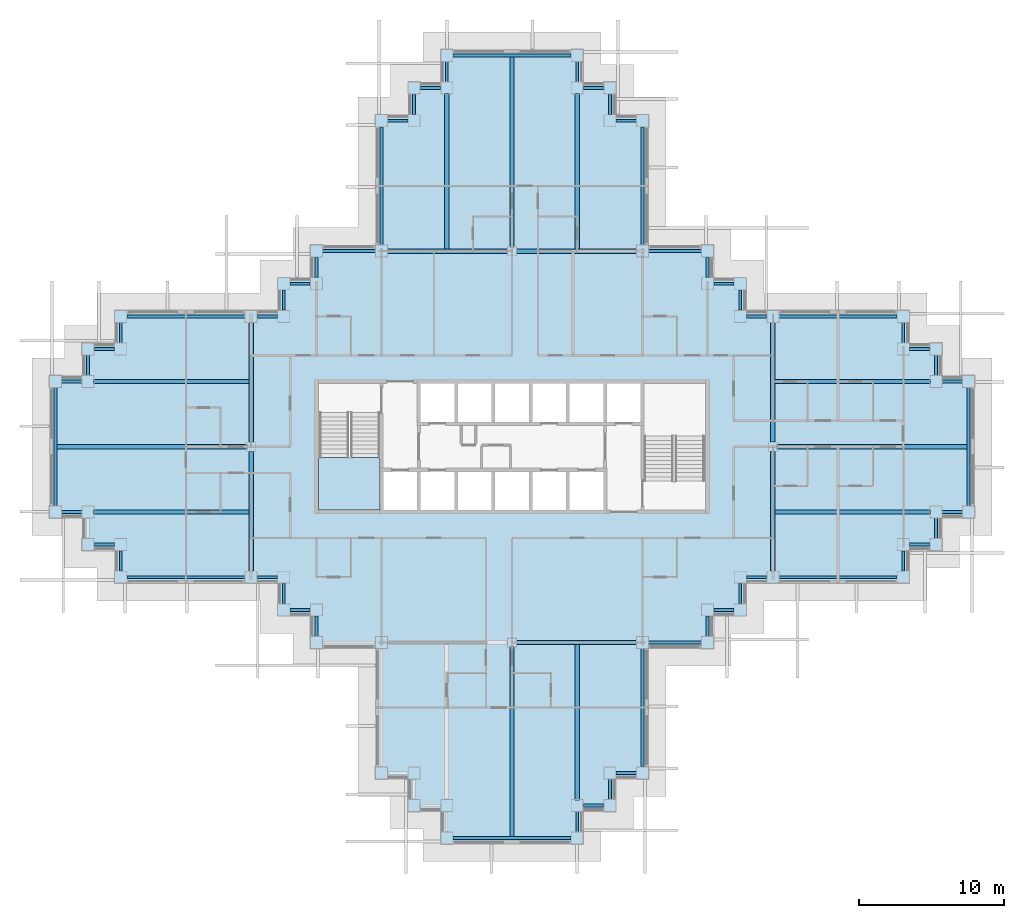
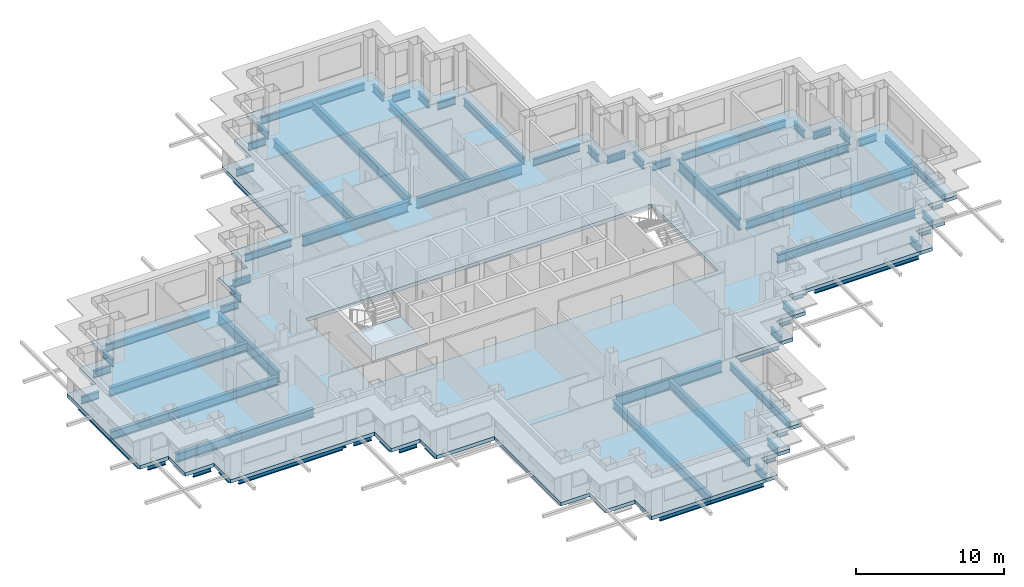
# One storey, part 3 of 17: 75 beams, 2 slabs, 1 element without a shape of its own.
"""IFC4 building model written with IfcOpenShell, lengths in metres."""

from ifc_helpers import new_model, si_unit, direction, frame, origin, origin_2d, place, context, subcontext, project, spatial, polyline, i_section, outline, extrude, material, layer, layer_set, material_profile, profile_set, type_object, element, aggregate, save


model = new_model("IFC4")

# Units and contexts
model_context = context("Model", 3, precision=1e-05, world=origin(), true_north=direction((0.0, 1.0)))
body_context = subcontext(model_context, "Body", "Model", "MODEL_VIEW")
ifc_project = project(units=[si_unit("LENGTHUNIT", "METRE"), si_unit("AREAUNIT", "SQUARE_METRE"), si_unit("VOLUMEUNIT", "CUBIC_METRE"), si_unit("PLANEANGLEUNIT", "RADIAN"), si_unit("MASSUNIT", "GRAM", prefix="KILO")], contexts=[model_context])

# Site, building, storey
site_placement = place(None, origin())
site = spatial("IfcSite", under=ifc_project, at=site_placement, CompositionType="ELEMENT")
building_placement = place(site_placement, origin())
building = spatial("IfcBuilding", under=site, at=building_placement, Name="Caravel Reach Hotel and Residences", CompositionType="ELEMENT")
storey_placement = place(building_placement, frame((0.0, 0.0, 126.0)))
storey = spatial("IfcBuildingStorey", under=building, at=storey_placement, Name="L31", CompositionType="ELEMENT", Elevation=126.0)

# Beams
ifc_material_1 = material(Name="Structural steel Q355B", Category="steel")
ifc_material_profile_1 = material_profile(ifc_material_1, i_section(OverallWidth=0.300048828125, OverallDepth=0.699951171875, WebThickness=0.012939453125, FlangeThickness=0.02392578125, FilletRadius=0.01806640625, at=origin_2d()), Name="HN 700x300x13x24")
ifc_profile_set_1 = profile_set([ifc_material_profile_1], Name="Structural steel Q355B")
beam_type_1 = type_object("IfcBeamType", Name="Beam HN 700x300x13x24", PredefinedType="BEAM", material=ifc_profile_set_1)
beam_1_placement = place(storey_placement, frame((27.0, 40.60009765625, -0.64990234375), z_axis=(0.0, 1.0, 0.0), x_axis=(-1.0, 0.0, 0.0)))
element("IfcBeam", 1, at=beam_1_placement, inside=storey, type_object=beam_type_1, Name="B2 HN 700x300x13x24", PredefinedType="BEAM", context=body_context, shape_type="SweptSolid", body=[
    extrude(i_section(OverallWidth=0.300048828125, OverallDepth=0.699951171875, WebThickness=0.012939453125, FlangeThickness=0.02392578125, FilletRadius=0.01806640625, at=origin_2d()), origin(), (0.0, 0.0, 1.0), 10.77490234375),
])
beam_2_placement = place(storey_placement, frame((31.5, 40.77490234375, -0.64990234375), z_axis=(0.0, 1.0, 0.0), x_axis=(-1.0, 0.0, 0.0)))
element("IfcBeam", 2, at=beam_2_placement, inside=storey, type_object=beam_type_1, Name="B2 HN 700x300x13x24", PredefinedType="BEAM", context=body_context, shape_type="SweptSolid", body=[
    extrude(i_section(OverallWidth=0.300048828125, OverallDepth=0.699951171875, WebThickness=0.012939453125, FlangeThickness=0.02392578125, FilletRadius=0.01806640625, at=origin_2d()), origin(), (0.0, 0.0, 1.0), 13.125),
])
beam_3_placement = place(storey_placement, frame((36.0, 40.60009765625, -0.64990234375), z_axis=(0.0, 1.0, 0.0), x_axis=(-1.0, 0.0, 0.0)))
element("IfcBeam", 3, at=beam_3_placement, inside=storey, type_object=beam_type_1, Name="B2 HN 700x300x13x24", PredefinedType="BEAM", context=body_context, shape_type="SweptSolid", body=[
    extrude(i_section(OverallWidth=0.300048828125, OverallDepth=0.699951171875, WebThickness=0.012939453125, FlangeThickness=0.02392578125, FilletRadius=0.01806640625, at=origin_2d()), origin(), (0.0, 0.0, 1.0), 10.77490234375),
])
beam_4_placement = place(storey_placement, frame((31.5, 13.22509765625, -0.64990234375), z_axis=(0.0, -1.0, 0.0), x_axis=(1.0, 0.0, 0.0)))
element("IfcBeam", 4, at=beam_4_placement, inside=storey, type_object=beam_type_1, Name="B2 HN 700x300x13x24", PredefinedType="BEAM", context=body_context, shape_type="SweptSolid", body=[
    extrude(i_section(OverallWidth=0.300048828125, OverallDepth=0.699951171875, WebThickness=0.012939453125, FlangeThickness=0.02392578125, FilletRadius=0.01806640625, at=origin_2d()), origin(), (0.0, 0.0, 1.0), 13.125),
])
for number, where, z_axis, x_axis, name in (
    (5, (36.0, 13.39990234375, -0.64990234375), (0.0, -1.0, 0.0), (1.0, 0.0, 0.0), "B2 HN 700x300x13x24"),
    (6, (49.60009765625, 22.5, -0.64990234375), (1.0, 0.0, 0.0), (0.0, 1.0, 0.0), "B2 HN 700x300x13x24"),
):
    element("IfcBeam", number, at=place(storey_placement, frame(where, z_axis=z_axis, x_axis=x_axis)), inside=storey, type_object=beam_type_1, Name=name, PredefinedType="BEAM", context=body_context, shape_type="SweptSolid", body=[
        extrude(i_section(OverallWidth=0.300048828125, OverallDepth=0.699951171875, WebThickness=0.012939453125, FlangeThickness=0.02392578125, FilletRadius=0.01806640625, at=origin_2d()), origin(), (0.0, 0.0, 1.0), 10.77490234375),
    ])
beam_5_placement = place(storey_placement, frame((49.77490234375, 27.0, -0.64990234375), z_axis=(1.0, 0.0, 0.0), x_axis=(0.0, 1.0, 0.0)))
element("IfcBeam", 7, at=beam_5_placement, inside=storey, type_object=beam_type_1, Name="B2 HN 700x300x13x24", PredefinedType="BEAM", context=body_context, shape_type="SweptSolid", body=[
    extrude(i_section(OverallWidth=0.300048828125, OverallDepth=0.699951171875, WebThickness=0.012939453125, FlangeThickness=0.02392578125, FilletRadius=0.01806640625, at=origin_2d()), origin(), (0.0, 0.0, 1.0), 13.125),
])
for number, where, z_axis, x_axis, name in (
    (8, (49.60009765625, 31.5, -0.64990234375), (1.0, 0.0, 0.0), (0.0, 1.0, 0.0), "B2 HN 700x300x13x24"),
    (9, (13.39990234375, 22.5, -0.64990234375), (-1.0, 0.0, 0.0), (0.0, -1.0, 0.0), "B2 HN 700x300x13x24"),
):
    element("IfcBeam", number, at=place(storey_placement, frame(where, z_axis=z_axis, x_axis=x_axis)), inside=storey, type_object=beam_type_1, Name=name, PredefinedType="BEAM", context=body_context, shape_type="SweptSolid", body=[
        extrude(i_section(OverallWidth=0.300048828125, OverallDepth=0.699951171875, WebThickness=0.012939453125, FlangeThickness=0.02392578125, FilletRadius=0.01806640625, at=origin_2d()), origin(), (0.0, 0.0, 1.0), 10.77490234375),
    ])
beam_6_placement = place(storey_placement, frame((13.22509765625, 27.0, -0.64990234375), z_axis=(-1.0, 0.0, 0.0), x_axis=(0.0, -1.0, 0.0)))
element("IfcBeam", 10, at=beam_6_placement, inside=storey, type_object=beam_type_1, Name="B2 HN 700x300x13x24", PredefinedType="BEAM", context=body_context, shape_type="SweptSolid", body=[
    extrude(i_section(OverallWidth=0.300048828125, OverallDepth=0.699951171875, WebThickness=0.012939453125, FlangeThickness=0.02392578125, FilletRadius=0.01806640625, at=origin_2d()), origin(), (0.0, 0.0, 1.0), 13.125),
])
beam_7_placement = place(storey_placement, frame((13.39990234375, 31.5, -0.64990234375), z_axis=(-1.0, 0.0, 0.0), x_axis=(0.0, -1.0, 0.0)))
element("IfcBeam", 11, at=beam_7_placement, inside=storey, type_object=beam_type_1, Name="B2 HN 700x300x13x24", PredefinedType="BEAM", context=body_context, shape_type="SweptSolid", body=[
    extrude(i_section(OverallWidth=0.300048828125, OverallDepth=0.699951171875, WebThickness=0.012939453125, FlangeThickness=0.02392578125, FilletRadius=0.01806640625, at=origin_2d()), origin(), (0.0, 0.0, 1.0), 10.77490234375),
])
ifc_material_2 = material(Name="Structural steel Q355B", Category="steel")
ifc_material_profile_2 = material_profile(ifc_material_2, i_section(OverallWidth=0.300048828125, OverallDepth=0.89990234375, WebThickness=0.01611328125, FlangeThickness=0.028076171875, FilletRadius=0.01806640625, at=origin_2d()), Name="HN 900x300x16x28")
ifc_profile_set_2 = profile_set([ifc_material_profile_2], Name="Structural steel Q355B")
beam_type_2 = type_object("IfcBeamType", Name="Beam HN 900x300x16x28", PredefinedType="BEAM", material=ifc_profile_set_2)
for number, where, z_axis, x_axis, name in (
    (12, (22.925048828125, 40.5, -0.75), (1.0, 0.0, 0.0), (0.0, 1.0, 0.0), "B3 HN 900x300x16x28"),
    (13, (31.824951171875, 40.5, -0.75), (1.0, 0.0, 0.0), (0.0, 1.0, 0.0), "B3 HN 900x300x16x28"),
    (14, (31.824951171875, 13.5, -0.75), (1.0, 0.0, 0.0), (0.0, 1.0, 0.0), "B3 HN 900x300x16x28"),
    (15, (13.5, 18.425048828125, -0.75), (0.0, 1.0, 0.0), (-1.0, 0.0, 0.0), "B3 HN 900x300x16x28"),
    (16, (13.5, 27.324951171875, -0.75), (0.0, 1.0, 0.0), (-1.0, 0.0, 0.0), "B3 HN 900x300x16x28"),
    (17, (49.5, 18.425048828125, -0.75), (0.0, 1.0, 0.0), (-1.0, 0.0, 0.0), "B3 HN 900x300x16x28"),
    (18, (49.5, 27.324951171875, -0.75), (0.0, 1.0, 0.0), (-1.0, 0.0, 0.0), "B3 HN 900x300x16x28"),
):
    element("IfcBeam", number, at=place(storey_placement, frame(where, z_axis=z_axis, x_axis=x_axis)), inside=storey, type_object=beam_type_2, Name=name, PredefinedType="BEAM", context=body_context, shape_type="SweptSolid", body=[
        extrude(i_section(OverallWidth=0.300048828125, OverallDepth=0.89990234375, WebThickness=0.01611328125, FlangeThickness=0.028076171875, FilletRadius=0.01806640625, at=origin_2d()), origin(), (0.0, 0.0, 1.0), 8.25),
    ])
ifc_material_3 = material(Name="Structural steel Q355B", Category="steel")
ifc_material_profile_3 = material_profile(ifc_material_3, i_section(OverallWidth=0.199951171875, OverallDepth=0.60009765625, WebThickness=0.010986328125, FlangeThickness=0.01708984375, FilletRadius=0.012939453125, at=origin_2d()), Name="HN 600x200x11x17")
ifc_profile_set_3 = profile_set([ifc_material_profile_3], Name="Structural steel Q355B")
beam_type_3 = type_object("IfcBeamType", Name="Spandrel beam HN 600x200x11x17", PredefinedType="SPANDREL", material=ifc_profile_set_3)
beam_8_placement = place(storey_placement, frame((27.425048828125, 0.0, -0.60009765625), z_axis=(1.0, 0.0, 0.0), x_axis=(0.0, 1.0, 0.0)))
element("IfcBeam", 19, at=beam_8_placement, inside=storey, type_object=beam_type_3, Name="SP1 HN 600x200x11x17", PredefinedType="SPANDREL", context=body_context, shape_type="SweptSolid", body=[
    extrude(i_section(OverallWidth=0.199951171875, OverallDepth=0.60009765625, WebThickness=0.010986328125, FlangeThickness=0.01708984375, FilletRadius=0.012939453125, at=origin_2d()), origin(), (0.0, 0.0, 1.0), 8.14990234375),
])
for number, where, z_axis, x_axis, name in (
    (20, (36.0, 0.425048828125, -0.60009765625), (0.0, 1.0, 0.0), (-1.0, 0.0, 0.0), "SP1 HN 600x200x11x17"),
    (21, (36.425048828125, 2.25, -0.60009765625), (1.0, 0.0, 0.0), (0.0, 1.0, 0.0), "SP1 HN 600x200x11x17"),
    (22, (38.25, 2.675048828125, -0.60009765625), (0.0, 1.0, 0.0), (-1.0, 0.0, 0.0), "SP1 HN 600x200x11x17"),
    (23, (38.675048828125, 4.5, -0.60009765625), (1.0, 0.0, 0.0), (0.0, 1.0, 0.0), "SP1 HN 600x200x11x17"),
):
    element("IfcBeam", number, at=place(storey_placement, frame(where, z_axis=z_axis, x_axis=x_axis)), inside=storey, type_object=beam_type_3, Name=name, PredefinedType="SPANDREL", context=body_context, shape_type="SweptSolid", body=[
        extrude(i_section(OverallWidth=0.199951171875, OverallDepth=0.60009765625, WebThickness=0.010986328125, FlangeThickness=0.01708984375, FilletRadius=0.012939453125, at=origin_2d()), origin(), (0.0, 0.0, 1.0), 1.39990234375),
    ])
beam_9_placement = place(storey_placement, frame((40.5, 4.925048828125, -0.60009765625), z_axis=(0.0, 1.0, 0.0), x_axis=(-1.0, 0.0, 0.0)))
element("IfcBeam", 24, at=beam_9_placement, inside=storey, type_object=beam_type_3, Name="SP1 HN 600x200x11x17", PredefinedType="SPANDREL", context=body_context, shape_type="SweptSolid", body=[
    extrude(i_section(OverallWidth=0.199951171875, OverallDepth=0.60009765625, WebThickness=0.010986328125, FlangeThickness=0.01708984375, FilletRadius=0.012939453125, at=origin_2d()), origin(), (0.0, 0.0, 1.0), 8.14990234375),
])
beam_10_placement = place(storey_placement, frame((40.925048828125, 13.5, -0.60009765625), z_axis=(1.0, 0.0, 0.0), x_axis=(0.0, 1.0, 0.0)))
element("IfcBeam", 25, at=beam_10_placement, inside=storey, type_object=beam_type_3, Name="SP1 HN 600x200x11x17", PredefinedType="SPANDREL", context=body_context, shape_type="SweptSolid", body=[
    extrude(i_section(OverallWidth=0.199951171875, OverallDepth=0.60009765625, WebThickness=0.010986328125, FlangeThickness=0.01708984375, FilletRadius=0.012939453125, at=origin_2d()), origin(), (0.0, 0.0, 1.0), 3.64990234375),
])
for number, where, z_axis, x_axis, name in (
    (26, (45.0, 13.925048828125, -0.60009765625), (0.0, 1.0, 0.0), (-1.0, 0.0, 0.0), "SP1 HN 600x200x11x17"),
    (27, (45.425048828125, 15.75, -0.60009765625), (1.0, 0.0, 0.0), (0.0, 1.0, 0.0), "SP1 HN 600x200x11x17"),
    (28, (47.25, 16.175048828125, -0.60009765625), (0.0, 1.0, 0.0), (-1.0, 0.0, 0.0), "SP1 HN 600x200x11x17"),
    (29, (47.675048828125, 18.0, -0.60009765625), (1.0, 0.0, 0.0), (0.0, 1.0, 0.0), "SP1 HN 600x200x11x17"),
):
    element("IfcBeam", number, at=place(storey_placement, frame(where, z_axis=z_axis, x_axis=x_axis)), inside=storey, type_object=beam_type_3, Name=name, PredefinedType="SPANDREL", context=body_context, shape_type="SweptSolid", body=[
        extrude(i_section(OverallWidth=0.199951171875, OverallDepth=0.60009765625, WebThickness=0.010986328125, FlangeThickness=0.01708984375, FilletRadius=0.012939453125, at=origin_2d()), origin(), (0.0, 0.0, 1.0), 1.39990234375),
    ])
beam_11_placement = place(storey_placement, frame((49.925048828125, 18.0, -0.60009765625), z_axis=(1.0, 0.0, 0.0), x_axis=(0.0, 1.0, 0.0)))
element("IfcBeam", 30, at=beam_11_placement, inside=storey, type_object=beam_type_3, Name="SP1 HN 600x200x11x17", PredefinedType="SPANDREL", context=body_context, shape_type="SweptSolid", body=[
    extrude(i_section(OverallWidth=0.199951171875, OverallDepth=0.60009765625, WebThickness=0.010986328125, FlangeThickness=0.01708984375, FilletRadius=0.012939453125, at=origin_2d()), origin(), (0.0, 0.0, 1.0), 8.14990234375),
])
for number, where, z_axis, x_axis, name in (
    (31, (58.5, 18.425048828125, -0.60009765625), (0.0, 1.0, 0.0), (-1.0, 0.0, 0.0), "SP1 HN 600x200x11x17"),
    (32, (58.925048828125, 20.25, -0.60009765625), (1.0, 0.0, 0.0), (0.0, 1.0, 0.0), "SP1 HN 600x200x11x17"),
    (33, (60.75, 20.675048828125, -0.60009765625), (0.0, 1.0, 0.0), (-1.0, 0.0, 0.0), "SP1 HN 600x200x11x17"),
    (34, (61.175048828125, 22.5, -0.60009765625), (1.0, 0.0, 0.0), (0.0, 1.0, 0.0), "SP1 HN 600x200x11x17"),
):
    element("IfcBeam", number, at=place(storey_placement, frame(where, z_axis=z_axis, x_axis=x_axis)), inside=storey, type_object=beam_type_3, Name=name, PredefinedType="SPANDREL", context=body_context, shape_type="SweptSolid", body=[
        extrude(i_section(OverallWidth=0.199951171875, OverallDepth=0.60009765625, WebThickness=0.010986328125, FlangeThickness=0.01708984375, FilletRadius=0.012939453125, at=origin_2d()), origin(), (0.0, 0.0, 1.0), 1.39990234375),
    ])
beam_12_placement = place(storey_placement, frame((63.0, 22.925048828125, -0.60009765625), z_axis=(0.0, 1.0, 0.0), x_axis=(-1.0, 0.0, 0.0)))
element("IfcBeam", 35, at=beam_12_placement, inside=storey, type_object=beam_type_3, Name="SP1 HN 600x200x11x17", PredefinedType="SPANDREL", context=body_context, shape_type="SweptSolid", body=[
    extrude(i_section(OverallWidth=0.199951171875, OverallDepth=0.60009765625, WebThickness=0.010986328125, FlangeThickness=0.01708984375, FilletRadius=0.012939453125, at=origin_2d()), origin(), (0.0, 0.0, 1.0), 8.14990234375),
])
for number, where, z_axis, x_axis, name in (
    (36, (62.574951171875, 31.5, -0.60009765625), (-1.0, 0.0, 0.0), (0.0, -1.0, 0.0), "SP1 HN 600x200x11x17"),
    (37, (60.75, 31.925048828125, -0.60009765625), (0.0, 1.0, 0.0), (-1.0, 0.0, 0.0), "SP1 HN 600x200x11x17"),
    (38, (60.324951171875, 33.75, -0.60009765625), (-1.0, 0.0, 0.0), (0.0, -1.0, 0.0), "SP1 HN 600x200x11x17"),
    (39, (58.5, 34.175048828125, -0.60009765625), (0.0, 1.0, 0.0), (-1.0, 0.0, 0.0), "SP1 HN 600x200x11x17"),
):
    element("IfcBeam", number, at=place(storey_placement, frame(where, z_axis=z_axis, x_axis=x_axis)), inside=storey, type_object=beam_type_3, Name=name, PredefinedType="SPANDREL", context=body_context, shape_type="SweptSolid", body=[
        extrude(i_section(OverallWidth=0.199951171875, OverallDepth=0.60009765625, WebThickness=0.010986328125, FlangeThickness=0.01708984375, FilletRadius=0.012939453125, at=origin_2d()), origin(), (0.0, 0.0, 1.0), 1.39990234375),
    ])
beam_13_placement = place(storey_placement, frame((58.074951171875, 36.0, -0.60009765625), z_axis=(-1.0, 0.0, 0.0), x_axis=(0.0, -1.0, 0.0)))
element("IfcBeam", 40, at=beam_13_placement, inside=storey, type_object=beam_type_3, Name="SP1 HN 600x200x11x17", PredefinedType="SPANDREL", context=body_context, shape_type="SweptSolid", body=[
    extrude(i_section(OverallWidth=0.199951171875, OverallDepth=0.60009765625, WebThickness=0.010986328125, FlangeThickness=0.01708984375, FilletRadius=0.012939453125, at=origin_2d()), origin(), (0.0, 0.0, 1.0), 8.14990234375),
])
for number, where, z_axis, x_axis, name in (
    (41, (49.074951171875, 36.0, -0.60009765625), (-1.0, 0.0, 0.0), (0.0, -1.0, 0.0), "SP1 HN 600x200x11x17"),
    (42, (47.25, 36.425048828125, -0.60009765625), (0.0, 1.0, 0.0), (-1.0, 0.0, 0.0), "SP1 HN 600x200x11x17"),
    (43, (46.824951171875, 38.25, -0.60009765625), (-1.0, 0.0, 0.0), (0.0, -1.0, 0.0), "SP1 HN 600x200x11x17"),
    (44, (45.0, 38.675048828125, -0.60009765625), (0.0, 1.0, 0.0), (-1.0, 0.0, 0.0), "SP1 HN 600x200x11x17"),
):
    element("IfcBeam", number, at=place(storey_placement, frame(where, z_axis=z_axis, x_axis=x_axis)), inside=storey, type_object=beam_type_3, Name=name, PredefinedType="SPANDREL", context=body_context, shape_type="SweptSolid", body=[
        extrude(i_section(OverallWidth=0.199951171875, OverallDepth=0.60009765625, WebThickness=0.010986328125, FlangeThickness=0.01708984375, FilletRadius=0.012939453125, at=origin_2d()), origin(), (0.0, 0.0, 1.0), 1.39990234375),
    ])
beam_14_placement = place(storey_placement, frame((44.574951171875, 40.5, -0.60009765625), z_axis=(-1.0, 0.0, 0.0), x_axis=(0.0, -1.0, 0.0)))
element("IfcBeam", 45, at=beam_14_placement, inside=storey, type_object=beam_type_3, Name="SP1 HN 600x200x11x17", PredefinedType="SPANDREL", context=body_context, shape_type="SweptSolid", body=[
    extrude(i_section(OverallWidth=0.199951171875, OverallDepth=0.60009765625, WebThickness=0.010986328125, FlangeThickness=0.01708984375, FilletRadius=0.012939453125, at=origin_2d()), origin(), (0.0, 0.0, 1.0), 3.64990234375),
])
beam_15_placement = place(storey_placement, frame((40.5, 40.925048828125, -0.60009765625), z_axis=(0.0, 1.0, 0.0), x_axis=(-1.0, 0.0, 0.0)))
element("IfcBeam", 46, at=beam_15_placement, inside=storey, type_object=beam_type_3, Name="SP1 HN 600x200x11x17", PredefinedType="SPANDREL", context=body_context, shape_type="SweptSolid", body=[
    extrude(i_section(OverallWidth=0.199951171875, OverallDepth=0.60009765625, WebThickness=0.010986328125, FlangeThickness=0.01708984375, FilletRadius=0.012939453125, at=origin_2d()), origin(), (0.0, 0.0, 1.0), 8.14990234375),
])
for number, where, z_axis, x_axis, name in (
    (47, (40.074951171875, 49.5, -0.60009765625), (-1.0, 0.0, 0.0), (0.0, -1.0, 0.0), "SP1 HN 600x200x11x17"),
    (48, (38.25, 49.925048828125, -0.60009765625), (0.0, 1.0, 0.0), (-1.0, 0.0, 0.0), "SP1 HN 600x200x11x17"),
    (49, (37.824951171875, 51.75, -0.60009765625), (-1.0, 0.0, 0.0), (0.0, -1.0, 0.0), "SP1 HN 600x200x11x17"),
    (50, (36.0, 52.175048828125, -0.60009765625), (0.0, 1.0, 0.0), (-1.0, 0.0, 0.0), "SP1 HN 600x200x11x17"),
):
    element("IfcBeam", number, at=place(storey_placement, frame(where, z_axis=z_axis, x_axis=x_axis)), inside=storey, type_object=beam_type_3, Name=name, PredefinedType="SPANDREL", context=body_context, shape_type="SweptSolid", body=[
        extrude(i_section(OverallWidth=0.199951171875, OverallDepth=0.60009765625, WebThickness=0.010986328125, FlangeThickness=0.01708984375, FilletRadius=0.012939453125, at=origin_2d()), origin(), (0.0, 0.0, 1.0), 1.39990234375),
    ])
beam_16_placement = place(storey_placement, frame((35.574951171875, 54.0, -0.60009765625), z_axis=(-1.0, 0.0, 0.0), x_axis=(0.0, -1.0, 0.0)))
element("IfcBeam", 51, at=beam_16_placement, inside=storey, type_object=beam_type_3, Name="SP1 HN 600x200x11x17", PredefinedType="SPANDREL", context=body_context, shape_type="SweptSolid", body=[
    extrude(i_section(OverallWidth=0.199951171875, OverallDepth=0.60009765625, WebThickness=0.010986328125, FlangeThickness=0.01708984375, FilletRadius=0.012939453125, at=origin_2d()), origin(), (0.0, 0.0, 1.0), 8.14990234375),
])
for number, where, z_axis, x_axis, name in (
    (52, (27.0, 53.574951171875, -0.60009765625), (0.0, -1.0, 0.0), (1.0, 0.0, 0.0), "SP1 HN 600x200x11x17"),
    (53, (26.574951171875, 51.75, -0.60009765625), (-1.0, 0.0, 0.0), (0.0, -1.0, 0.0), "SP1 HN 600x200x11x17"),
    (54, (24.75, 51.324951171875, -0.60009765625), (0.0, -1.0, 0.0), (1.0, 0.0, 0.0), "SP1 HN 600x200x11x17"),
    (55, (24.324951171875, 49.5, -0.60009765625), (-1.0, 0.0, 0.0), (0.0, -1.0, 0.0), "SP1 HN 600x200x11x17"),
):
    element("IfcBeam", number, at=place(storey_placement, frame(where, z_axis=z_axis, x_axis=x_axis)), inside=storey, type_object=beam_type_3, Name=name, PredefinedType="SPANDREL", context=body_context, shape_type="SweptSolid", body=[
        extrude(i_section(OverallWidth=0.199951171875, OverallDepth=0.60009765625, WebThickness=0.010986328125, FlangeThickness=0.01708984375, FilletRadius=0.012939453125, at=origin_2d()), origin(), (0.0, 0.0, 1.0), 1.39990234375),
    ])
beam_17_placement = place(storey_placement, frame((22.5, 49.074951171875, -0.60009765625), z_axis=(0.0, -1.0, 0.0), x_axis=(1.0, 0.0, 0.0)))
element("IfcBeam", 56, at=beam_17_placement, inside=storey, type_object=beam_type_3, Name="SP1 HN 600x200x11x17", PredefinedType="SPANDREL", context=body_context, shape_type="SweptSolid", body=[
    extrude(i_section(OverallWidth=0.199951171875, OverallDepth=0.60009765625, WebThickness=0.010986328125, FlangeThickness=0.01708984375, FilletRadius=0.012939453125, at=origin_2d()), origin(), (0.0, 0.0, 1.0), 8.14990234375),
])
beam_18_placement = place(storey_placement, frame((22.074951171875, 40.5, -0.60009765625), z_axis=(-1.0, 0.0, 0.0), x_axis=(0.0, -1.0, 0.0)))
element("IfcBeam", 57, at=beam_18_placement, inside=storey, type_object=beam_type_3, Name="SP1 HN 600x200x11x17", PredefinedType="SPANDREL", context=body_context, shape_type="SweptSolid", body=[
    extrude(i_section(OverallWidth=0.199951171875, OverallDepth=0.60009765625, WebThickness=0.010986328125, FlangeThickness=0.01708984375, FilletRadius=0.012939453125, at=origin_2d()), origin(), (0.0, 0.0, 1.0), 3.64990234375),
])
for number, where, z_axis, x_axis, name in (
    (58, (18.0, 40.074951171875, -0.60009765625), (0.0, -1.0, 0.0), (1.0, 0.0, 0.0), "SP1 HN 600x200x11x17"),
    (59, (17.574951171875, 38.25, -0.60009765625), (-1.0, 0.0, 0.0), (0.0, -1.0, 0.0), "SP1 HN 600x200x11x17"),
    (60, (15.75, 37.824951171875, -0.60009765625), (0.0, -1.0, 0.0), (1.0, 0.0, 0.0), "SP1 HN 600x200x11x17"),
    (61, (15.324951171875, 36.0, -0.60009765625), (-1.0, 0.0, 0.0), (0.0, -1.0, 0.0), "SP1 HN 600x200x11x17"),
):
    element("IfcBeam", number, at=place(storey_placement, frame(where, z_axis=z_axis, x_axis=x_axis)), inside=storey, type_object=beam_type_3, Name=name, PredefinedType="SPANDREL", context=body_context, shape_type="SweptSolid", body=[
        extrude(i_section(OverallWidth=0.199951171875, OverallDepth=0.60009765625, WebThickness=0.010986328125, FlangeThickness=0.01708984375, FilletRadius=0.012939453125, at=origin_2d()), origin(), (0.0, 0.0, 1.0), 1.39990234375),
    ])
beam_19_placement = place(storey_placement, frame((13.074951171875, 36.0, -0.60009765625), z_axis=(-1.0, 0.0, 0.0), x_axis=(0.0, -1.0, 0.0)))
element("IfcBeam", 62, at=beam_19_placement, inside=storey, type_object=beam_type_3, Name="SP1 HN 600x200x11x17", PredefinedType="SPANDREL", context=body_context, shape_type="SweptSolid", body=[
    extrude(i_section(OverallWidth=0.199951171875, OverallDepth=0.60009765625, WebThickness=0.010986328125, FlangeThickness=0.01708984375, FilletRadius=0.012939453125, at=origin_2d()), origin(), (0.0, 0.0, 1.0), 8.14990234375),
])
for number, where, z_axis, x_axis, name in (
    (63, (4.5, 35.574951171875, -0.60009765625), (0.0, -1.0, 0.0), (1.0, 0.0, 0.0), "SP1 HN 600x200x11x17"),
    (64, (4.074951171875, 33.75, -0.60009765625), (-1.0, 0.0, 0.0), (0.0, -1.0, 0.0), "SP1 HN 600x200x11x17"),
    (65, (2.25, 33.324951171875, -0.60009765625), (0.0, -1.0, 0.0), (1.0, 0.0, 0.0), "SP1 HN 600x200x11x17"),
    (66, (1.824951171875, 31.5, -0.60009765625), (-1.0, 0.0, 0.0), (0.0, -1.0, 0.0), "SP1 HN 600x200x11x17"),
):
    element("IfcBeam", number, at=place(storey_placement, frame(where, z_axis=z_axis, x_axis=x_axis)), inside=storey, type_object=beam_type_3, Name=name, PredefinedType="SPANDREL", context=body_context, shape_type="SweptSolid", body=[
        extrude(i_section(OverallWidth=0.199951171875, OverallDepth=0.60009765625, WebThickness=0.010986328125, FlangeThickness=0.01708984375, FilletRadius=0.012939453125, at=origin_2d()), origin(), (0.0, 0.0, 1.0), 1.39990234375),
    ])
beam_20_placement = place(storey_placement, frame((0.0, 31.074951171875, -0.60009765625), z_axis=(0.0, -1.0, 0.0), x_axis=(1.0, 0.0, 0.0)))
element("IfcBeam", 67, at=beam_20_placement, inside=storey, type_object=beam_type_3, Name="SP1 HN 600x200x11x17", PredefinedType="SPANDREL", context=body_context, shape_type="SweptSolid", body=[
    extrude(i_section(OverallWidth=0.199951171875, OverallDepth=0.60009765625, WebThickness=0.010986328125, FlangeThickness=0.01708984375, FilletRadius=0.012939453125, at=origin_2d()), origin(), (0.0, 0.0, 1.0), 8.14990234375),
])
for number, where, z_axis, x_axis, name in (
    (68, (0.425048828125, 22.5, -0.60009765625), (1.0, 0.0, 0.0), (0.0, 1.0, 0.0), "SP1 HN 600x200x11x17"),
    (69, (2.675048828125, 20.25, -0.60009765625), (1.0, 0.0, 0.0), (0.0, 1.0, 0.0), "SP1 HN 600x200x11x17"),
    (70, (4.5, 19.824951171875, -0.60009765625), (0.0, -1.0, 0.0), (1.0, 0.0, 0.0), "SP1 HN 600x200x11x17"),
):
    element("IfcBeam", number, at=place(storey_placement, frame(where, z_axis=z_axis, x_axis=x_axis)), inside=storey, type_object=beam_type_3, Name=name, PredefinedType="SPANDREL", context=body_context, shape_type="SweptSolid", body=[
        extrude(i_section(OverallWidth=0.199951171875, OverallDepth=0.60009765625, WebThickness=0.010986328125, FlangeThickness=0.01708984375, FilletRadius=0.012939453125, at=origin_2d()), origin(), (0.0, 0.0, 1.0), 1.39990234375),
    ])
beam_21_placement = place(storey_placement, frame((4.925048828125, 18.0, -0.60009765625), z_axis=(1.0, 0.0, 0.0), x_axis=(0.0, 1.0, 0.0)))
element("IfcBeam", 71, at=beam_21_placement, inside=storey, type_object=beam_type_3, Name="SP1 HN 600x200x11x17", PredefinedType="SPANDREL", context=body_context, shape_type="SweptSolid", body=[
    extrude(i_section(OverallWidth=0.199951171875, OverallDepth=0.60009765625, WebThickness=0.010986328125, FlangeThickness=0.01708984375, FilletRadius=0.012939453125, at=origin_2d()), origin(), (0.0, 0.0, 1.0), 8.14990234375),
])
for number, where, z_axis, x_axis, name in (
    (72, (13.925048828125, 18.0, -0.60009765625), (1.0, 0.0, 0.0), (0.0, 1.0, 0.0), "SP1 HN 600x200x11x17"),
    (73, (15.75, 17.574951171875, -0.60009765625), (0.0, -1.0, 0.0), (1.0, 0.0, 0.0), "SP1 HN 600x200x11x17"),
    (74, (16.175048828125, 15.75, -0.60009765625), (1.0, 0.0, 0.0), (0.0, 1.0, 0.0), "SP1 HN 600x200x11x17"),
    (75, (18.0, 15.324951171875, -0.60009765625), (0.0, -1.0, 0.0), (1.0, 0.0, 0.0), "SP1 HN 600x200x11x17"),
):
    element("IfcBeam", number, at=place(storey_placement, frame(where, z_axis=z_axis, x_axis=x_axis)), inside=storey, type_object=beam_type_3, Name=name, PredefinedType="SPANDREL", context=body_context, shape_type="SweptSolid", body=[
        extrude(i_section(OverallWidth=0.199951171875, OverallDepth=0.60009765625, WebThickness=0.010986328125, FlangeThickness=0.01708984375, FilletRadius=0.012939453125, at=origin_2d()), origin(), (0.0, 0.0, 1.0), 1.39990234375),
    ])

# Stair, slab
ifc_material_4 = material(Name="Concrete C40", Category="concrete")
stair_type = type_object("IfcStairType", Name="Core stair", PredefinedType="HALF_TURN_STAIR", material=ifc_material_4)
stair_placement = place(storey_placement, origin())
stair = element("IfcStair", 76, at=stair_placement, inside=storey, type_object=stair_type, Name="L31 Exit stair A", PredefinedType="HALF_TURN_STAIR")
ifc_material_5 = material(Name="Concrete C40", Category="concrete")
ifc_layer_1 = layer(ifc_material_5, 0.199951171875)
ifc_layer_set_1 = layer_set([ifc_layer_1], Name="Core stair landing")
slab_type_1 = type_object("IfcSlabType", Name="Core stair landing", PredefinedType="LANDING", material=ifc_layer_set_1)
slab_1_placement = place(storey_placement, frame((0.0, 0.0, 1.60009765625)))
slab_1 = element("IfcSlab", 77, at=slab_1_placement, type_object=slab_type_1, Name="ST-A landing 1", PredefinedType="LANDING", context=body_context, shape_type="SweptSolid", body=[
    extrude(outline(polyline([(18.14990234375, 26.27001953125), (18.14990234375, 22.64990234375), (22.375, 22.64990234375), (22.375, 26.27001953125), (18.14990234375, 26.27001953125)])), origin(), (0.0, 0.0, 1.0), 0.199951171875),
])
aggregate(stair, [slab_1])

# Slab
ifc_material_6 = material(Name="Concrete C40 post-tensioned", Category="concrete")
ifc_layer_2 = layer(ifc_material_6, 0.300048828125)
ifc_layer_set_2 = layer_set([ifc_layer_2], Name="Floor slab 300")
slab_type_2 = type_object("IfcSlabType", Name="Floor slab 300", PredefinedType="FLOOR", material=ifc_layer_set_2)
slab_2_placement = place(storey_placement, frame((0.0, 0.0, -0.300048828125)))
element("IfcSlab", 78, at=slab_2_placement, inside=storey, type_object=slab_type_2, Name="S2 slab L31", PredefinedType="FLOOR", context=body_context, shape_type="SweptSolid", body=[
    extrude(outline(polyline([(17.574951171875, 13.074951171875), (17.574951171875, 15.324951171875), (15.324951171875, 15.324951171875), (15.324951171875, 17.574951171875), (4.074951171875, 17.574951171875), (4.074951171875, 19.824951171875), (1.824951171875, 19.824951171875), (1.824951171875, 22.074951171875), (-0.425048828125, 22.074951171875), (-0.425048828125, 31.925048828125), (1.824951171875, 31.925048828125), (1.824951171875, 34.175048828125), (4.074951171875, 34.175048828125), (4.074951171875, 36.425048828125), (15.324951171875, 36.425048828125), (15.324951171875, 38.675048828125), (17.574951171875, 38.675048828125), (17.574951171875, 40.925048828125), (22.074951171875, 40.925048828125), (22.074951171875, 49.925048828125), (24.324951171875, 49.925048828125), (24.324951171875, 52.175048828125), (26.574951171875, 52.175048828125), (26.574951171875, 54.425048828125), (36.425048828125, 54.425048828125), (36.425048828125, 52.175048828125), (38.675048828125, 52.175048828125), (38.675048828125, 49.925048828125), (40.925048828125, 49.925048828125), (40.925048828125, 40.925048828125), (45.425048828125, 40.925048828125), (45.425048828125, 38.675048828125), (47.675048828125, 38.675048828125), (47.675048828125, 36.425048828125), (58.925048828125, 36.425048828125), (58.925048828125, 34.175048828125), (61.175048828125, 34.175048828125), (61.175048828125, 31.925048828125), (63.425048828125, 31.925048828125), (63.425048828125, 22.074951171875), (61.175048828125, 22.074951171875), (61.175048828125, 19.824951171875), (58.925048828125, 19.824951171875), (58.925048828125, 17.574951171875), (47.675048828125, 17.574951171875), (47.675048828125, 15.324951171875), (45.425048828125, 15.324951171875), (45.425048828125, 13.074951171875), (40.925048828125, 13.074951171875), (40.925048828125, 4.074951171875), (38.675048828125, 4.074951171875), (38.675048828125, 1.824951171875), (36.425048828125, 1.824951171875), (36.425048828125, -0.425048828125), (26.574951171875, -0.425048828125), (26.574951171875, 1.824951171875), (24.324951171875, 1.824951171875), (24.324951171875, 4.074951171875), (22.074951171875, 4.074951171875), (22.074951171875, 13.074951171875), (17.574951171875, 13.074951171875)]), holes=[polyline([(45.0, 31.5), (18.0, 31.5), (18.0, 22.5), (45.0, 22.5), (45.0, 31.5)])]), origin(), (0.0, 0.0, 1.0), 0.300048828125),
])

save(model, "model.ifc")
